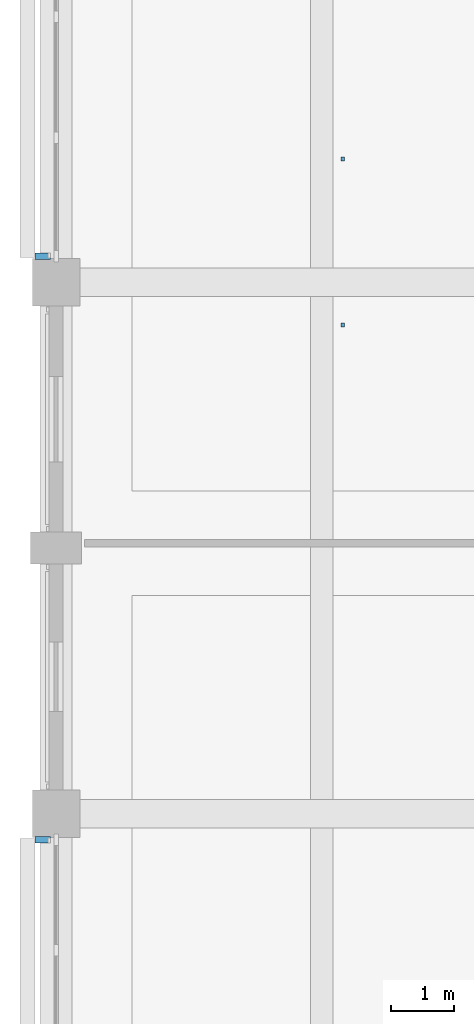
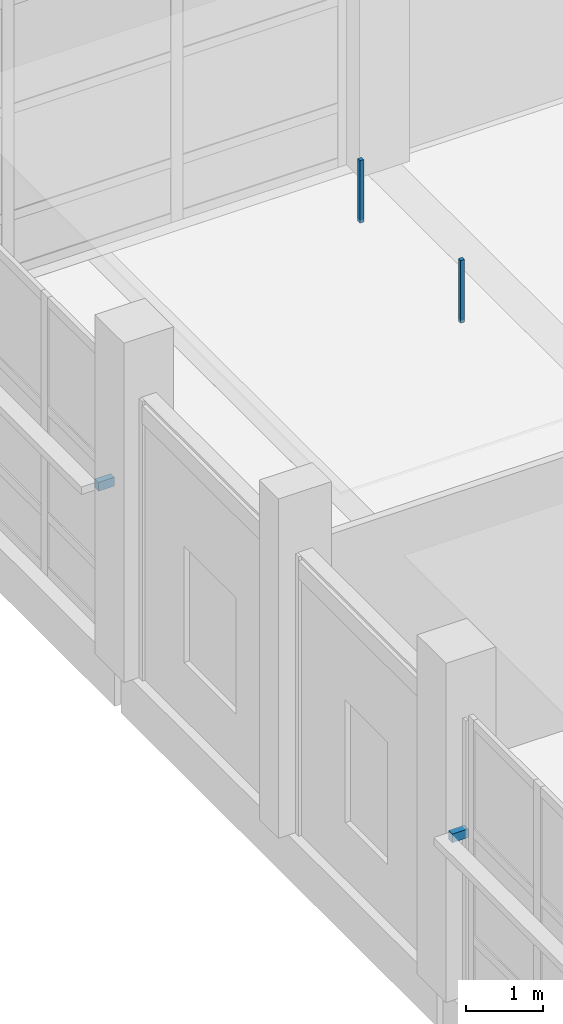
# One storey, part 79 of 140: 4 discrete accessories.
"""IFC4 building model written with IfcOpenShell, lengths in metres."""

import ifcopenshell
import ifcopenshell.guid

model = None  # the IFC model being written
_history = None  # IfcOwnerHistory: only IFC2X3 demands one
_inside = {}  # id of a spatial element -> (the spatial element, [elements in it])
_under = {}  # id of a project, library or spatial element -> (it, [spatial elements below it])
_declared = {}  # id of a project -> (the project, [libraries it declares])
_typed = {}  # id of a type object -> (the type object, [elements of that type])
_made_of = {}  # id of a material, layer set ... -> (it, [elements and type objects made of it])


def new_model(schema):
    """Start an empty IFC model of exactly this schema.

    Asked for "IFC4X3", IfcOpenShell would pick the latest addendum, in which some entities
    have other attributes; the version numbers below select the first issue.
    IFC2X3 requires an IfcOwnerHistory on every rooted entity: one is made here for all.
    """
    global model, _history
    if schema == "IFC4X3":
        model = ifcopenshell.file(schema_version=(4, 3, 0, 0))
    else:
        model = ifcopenshell.file(schema=schema)
    _inside.clear()
    _under.clear()
    _declared.clear()
    _typed.clear()
    _made_of.clear()
    _history = None
    if model.schema == "IFC2X3":
        org = make("IfcOrganization", Name="unknown")
        user = make(
            "IfcPersonAndOrganization",
            ThePerson=make("IfcPerson", FamilyName="unknown"),
            TheOrganization=org,
        )
        app = make(
            "IfcApplication",
            ApplicationDeveloper=org,
            Version="unknown",
            ApplicationFullName="unknown",
            ApplicationIdentifier="unknown",
        )
        _history = make(
            "IfcOwnerHistory",
            OwningUser=user,
            OwningApplication=app,
            ChangeAction="ADDED",
            CreationDate=0,
        )
    return model


def make(cls, **values):
    """One entity of the class cls with the attributes given. An attribute that is None is left unset."""
    return model.create_entity(
        cls, **{name: value for name, value in values.items() if value is not None}
    )


def rooted(cls, **values):
    """An entity with a GlobalId (a new one), such as an element, a storey or a relation."""
    return make(cls, GlobalId=ifcopenshell.guid.new(), OwnerHistory=_history, **values)


def si_unit(unit_type, name, prefix=None):
    """IfcSIUnit, for example si_unit("LENGTHUNIT", "METRE", prefix="MILLI")."""
    return make("IfcSIUnit", UnitType=unit_type, Prefix=prefix, Name=name)


def assignment(units):
    """IfcUnitAssignment: the units of a project."""
    return None if units is None else make("IfcUnitAssignment", Units=units)


def point(xyz):
    """IfcCartesianPoint."""
    return None if xyz is None else make("IfcCartesianPoint", Coordinates=xyz)


def direction(xyz):
    """IfcDirection."""
    return None if xyz is None else make("IfcDirection", DirectionRatios=xyz)


def frame(location, z_axis=None, x_axis=None):
    """IfcAxis2Placement3D, a coordinate frame: its origin and axes. An axis left out is left unset."""
    return make(
        "IfcAxis2Placement3D",
        Location=point(location),
        Axis=direction(z_axis),
        RefDirection=direction(x_axis),
    )


def frame_2d(location, x_axis=None):
    """IfcAxis2Placement2D, a coordinate frame in the plane: its origin and x axis."""
    return make(
        "IfcAxis2Placement2D", Location=point(location), RefDirection=direction(x_axis)
    )


def origin():
    """The frame at (0, 0, 0) with its axes left unset."""
    return frame((0.0, 0.0, 0.0))


def origin_2d():
    """The frame at (0, 0) in the plane with its x axis left unset."""
    return frame_2d((0.0, 0.0))


def place(relative_to, where):
    """IfcLocalPlacement: puts the frame where relative to a parent placement (None: the world)."""
    return make(
        "IfcLocalPlacement", PlacementRelTo=relative_to, RelativePlacement=where
    )


def context(
    kind, dimensions, precision=None, world=None, true_north=None, identifier=None
):
    """IfcGeometricRepresentationContext, for example the 3D "Model" context."""
    return make(
        "IfcGeometricRepresentationContext",
        ContextIdentifier=identifier,
        ContextType=kind,
        CoordinateSpaceDimension=dimensions,
        Precision=precision,
        WorldCoordinateSystem=world,
        TrueNorth=true_north,
    )


def subcontext(parent, identifier, kind, view, scale=None):
    """IfcGeometricRepresentationSubContext, for example "Body" below "Model"."""
    return make(
        "IfcGeometricRepresentationSubContext",
        ContextIdentifier=identifier,
        ContextType=kind,
        ParentContext=parent,
        TargetScale=scale,
        TargetView=view,
    )


def project(units=None, contexts=None):
    """IfcProject with its units and contexts."""
    return rooted(
        "IfcProject",
        Name="project",
        RepresentationContexts=contexts,
        UnitsInContext=assignment(units),
    )


def spatial(cls, under=None, at=None, **own):
    """A site, building, storey or space (cls), placed at a placement, below another one or the project."""
    s = rooted(cls, ObjectPlacement=at, **own)
    if under is not None:
        _under.setdefault(under.id(), (under, []))[1].append(s)
    return s


def profile(cls, at=None, kind="AREA", **sizes):
    """A parametric profile (cls). Its sizes go by their IFC names, for example OverallWidth=200.0."""
    return make(cls, ProfileType=kind, Position=at, **sizes)


def rectangle(**sizes):
    """IfcRectangleProfileDef."""
    return profile("IfcRectangleProfileDef", **sizes)


def extrude(swept, where, along, depth):
    """IfcExtrudedAreaSolid: the profile swept, set in the frame where, extruded along a direction by depth."""
    return make(
        "IfcExtrudedAreaSolid",
        SweptArea=swept,
        Position=where,
        ExtrudedDirection=direction(along),
        Depth=depth,
    )


def shape(context_of_items, identifier, shape_type, items):
    """IfcShapeRepresentation: the items that make up one representation, for example the "Body"."""
    return make(
        "IfcShapeRepresentation",
        ContextOfItems=context_of_items,
        RepresentationIdentifier=identifier,
        RepresentationType=shape_type,
        Items=items,
    )


def material(Name=None, Category=None):
    """IfcMaterial."""
    return make("IfcMaterial", Name=Name, Category=Category)


def made_of(thing, what):
    """Note that an element or type object is made of a material, layer set ...; save() writes the relation."""
    if what is not None:
        _made_of.setdefault(what.id(), (what, []))[1].append(thing)
    return thing


def type_object(cls, material=None, **own):
    """A type object (cls), such as IfcWallType, which elements share."""
    return made_of(rooted(cls, **own), material)


def element(
    cls,
    number,
    at=None,
    inside=None,
    cuts=None,
    type_object=None,
    material=None,
    context=None,
    identifier="Body",
    shape_type=None,
    held_by="IfcProductDefinitionShape",
    body=None,
    shapes=None,
    **own,
):
    """One element of the class cls, such as IfcWall. Its Tag is "e" and its number.

    at: its placement. inside: the storey or other place that contains it. cuts: it is an
    opening in that element (IfcRelVoidsElement). A single representation is given by context,
    identifier, shape_type and body (its items); several are given by shapes. held_by: the class
    of the entity that holds the representations. save() writes the other relations.
    """
    e = rooted(cls, Tag="e%d" % number, ObjectPlacement=at, **own)
    if body is not None:
        shapes = [shape(context, identifier, shape_type, body)]
    if shapes is not None:
        e.Representation = make(held_by, Representations=shapes)
    if inside is not None:
        _inside.setdefault(inside.id(), (inside, []))[1].append(e)
    if cuts is not None:
        rooted(
            "IfcRelVoidsElement", RelatingBuildingElement=cuts, RelatedOpeningElement=e
        )
    if type_object is not None:
        _typed.setdefault(type_object.id(), (type_object, []))[1].append(e)
    return made_of(e, material)


def aggregate(whole, parts):
    """IfcRelAggregates: a whole, such as a stair, and the parts it consists of."""
    return rooted("IfcRelAggregates", RelatingObject=whole, RelatedObjects=parts)


def save(model, path):
    """Write the relations noted so far, then the file.

    IfcRelAggregates (storeys below a building ...), IfcRelContainedInSpatialStructure (elements
    in a storey), IfcRelDefinesByType, IfcRelAssociatesMaterial and IfcRelDeclares: one each for
    every whole, place, type object, material and project.
    """
    for whole, parts in _under.values():
        aggregate(whole, parts)
    for where, things in _inside.values():
        rooted(
            "IfcRelContainedInSpatialStructure",
            RelatedElements=things,
            RelatingStructure=where,
        )
    for kind, things in _typed.values():
        rooted("IfcRelDefinesByType", RelatedObjects=things, RelatingType=kind)
    for what, things in _made_of.values():
        rooted("IfcRelAssociatesMaterial", RelatedObjects=things, RelatingMaterial=what)
    for by, libraries in _declared.values():
        rooted("IfcRelDeclares", RelatingContext=by, RelatedDefinitions=libraries)
    model.write(path)


model = new_model("IFC4")

# Units and contexts
model_context = context("Model", 3, precision=1e-05, world=origin(), true_north=direction((0.0, 1.0)))
body_context = subcontext(model_context, "Body", "Model", "MODEL_VIEW")
ifc_project = project(units=[si_unit("LENGTHUNIT", "METRE"), si_unit("AREAUNIT", "SQUARE_METRE"), si_unit("VOLUMEUNIT", "CUBIC_METRE"), si_unit("PLANEANGLEUNIT", "RADIAN"), si_unit("MASSUNIT", "GRAM", prefix="KILO")], contexts=[model_context])

# Site, building, storey
site_placement = place(None, origin())
site = spatial("IfcSite", under=ifc_project, at=site_placement, CompositionType="ELEMENT")
building_placement = place(site_placement, origin())
building = spatial("IfcBuilding", under=site, at=building_placement, Name="Telukmera Botanical Conservatory", CompositionType="ELEMENT")
storey_placement = place(building_placement, origin())
storey = spatial("IfcBuildingStorey", under=building, at=storey_placement, Name="L00", CompositionType="ELEMENT", Elevation=0.0)

# Discrete accessories
ifc_material = material(Name="Steel S355", Category="steel")
discrete_accessory_type_1 = type_object("IfcDiscreteAccessoryType", Name="ACC-CEIL-HGR", PredefinedType="BRACKET", material=ifc_material)
for number, where, z_axis, x_axis, name in (
    (1, (12.93408203125, 65.72509765625, 4.2099609375), (0.0, 0.0, 1.0), (1.0, 0.0, 0.0), "L00 Suspended Ceiling Hanger Rod 012-1"),
    (2, (12.93408203125, 68.35009765625, 4.2099609375), (0.0, 0.0, 1.0), (1.0, 0.0, 0.0), "L00 Suspended Ceiling Hanger Rod 012-2"),
):
    element("IfcDiscreteAccessory", number, at=place(storey_placement, frame(where, z_axis=z_axis, x_axis=x_axis)), inside=storey, type_object=discrete_accessory_type_1, Name=name, PredefinedType="BRACKET", context=body_context, shape_type="SweptSolid", body=[
        extrude(rectangle(XDim=0.06005859375, YDim=0.06005859375, at=origin_2d()), origin(), (0.0, 0.0, 1.0), 0.9951171875),
    ])
discrete_accessory_type_2 = type_object("IfcDiscreteAccessoryType", Name="Structural Steel Facade Outrigger Fin Bracket", PredefinedType="BRACKET", material=ifc_material)
for number, where, z_axis, x_axis, name in (
    (3, (8.18994140625, 57.587890625, 2.580078125), (0.0, 0.0, 1.0), (0.0, 1.0, 0.0), "Facade Outrigger Bracket V3:L00:W5B B"),
    (4, (8.18994140625, 66.81201171875, 2.580078125), (0.0, 0.0, 1.0), (0.0, 1.0, 0.0), "Facade Outrigger Bracket V3:L00:W7 A"),
):
    element("IfcDiscreteAccessory", number, at=place(storey_placement, frame(where, z_axis=z_axis, x_axis=x_axis)), inside=storey, type_object=discrete_accessory_type_2, Name=name, PredefinedType="BRACKET", context=body_context, shape_type="SweptSolid", body=[
        extrude(rectangle(XDim=0.10009765625, YDim=0.239990234375, at=origin_2d()), origin(), (0.0, 0.0, 1.0), 0.139892578125),
    ])

save(model, "model.ifc")
